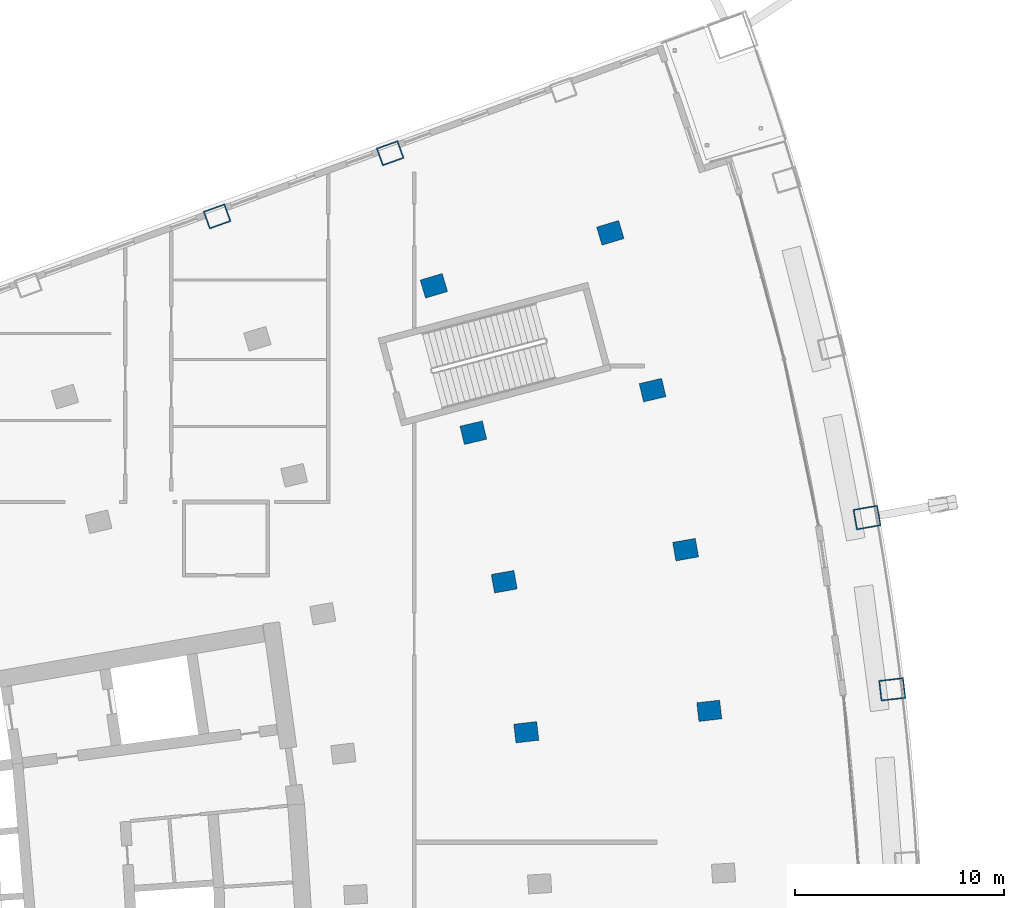
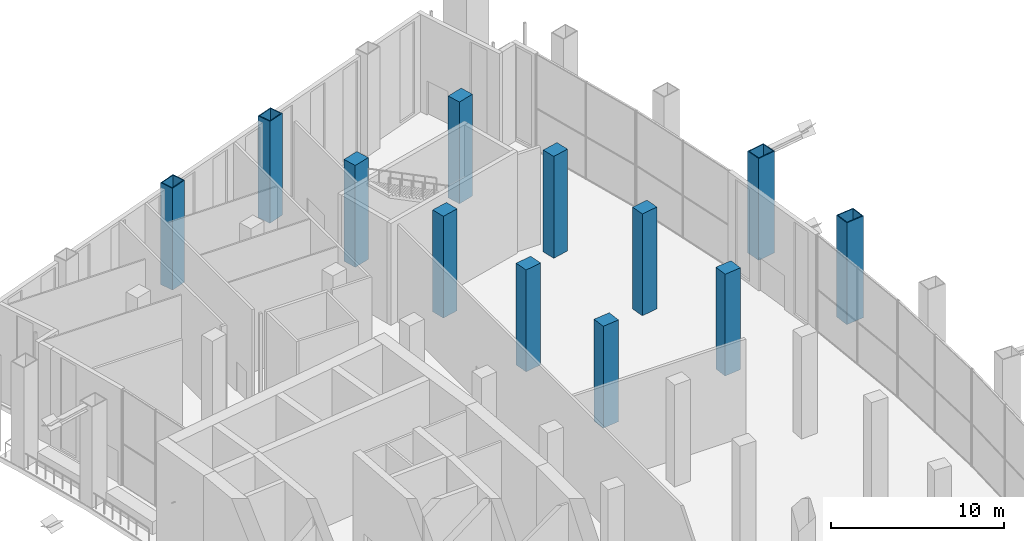
# One storey, part 7 of 27: 12 columns.
"""IFC4 building model written with IfcOpenShell, lengths in metres."""

import ifcopenshell
import ifcopenshell.guid

model = None  # the IFC model being written
_history = None  # IfcOwnerHistory: only IFC2X3 demands one
_inside = {}  # id of a spatial element -> (the spatial element, [elements in it])
_under = {}  # id of a project, library or spatial element -> (it, [spatial elements below it])
_declared = {}  # id of a project -> (the project, [libraries it declares])
_typed = {}  # id of a type object -> (the type object, [elements of that type])
_made_of = {}  # id of a material, layer set ... -> (it, [elements and type objects made of it])


def new_model(schema):
    """Start an empty IFC model of exactly this schema.

    Asked for "IFC4X3", IfcOpenShell would pick the latest addendum, in which some entities
    have other attributes; the version numbers below select the first issue.
    IFC2X3 requires an IfcOwnerHistory on every rooted entity: one is made here for all.
    """
    global model, _history
    if schema == "IFC4X3":
        model = ifcopenshell.file(schema_version=(4, 3, 0, 0))
    else:
        model = ifcopenshell.file(schema=schema)
    _inside.clear()
    _under.clear()
    _declared.clear()
    _typed.clear()
    _made_of.clear()
    _history = None
    if model.schema == "IFC2X3":
        org = make("IfcOrganization", Name="unknown")
        user = make(
            "IfcPersonAndOrganization",
            ThePerson=make("IfcPerson", FamilyName="unknown"),
            TheOrganization=org,
        )
        app = make(
            "IfcApplication",
            ApplicationDeveloper=org,
            Version="unknown",
            ApplicationFullName="unknown",
            ApplicationIdentifier="unknown",
        )
        _history = make(
            "IfcOwnerHistory",
            OwningUser=user,
            OwningApplication=app,
            ChangeAction="ADDED",
            CreationDate=0,
        )
    return model


def make(cls, **values):
    """One entity of the class cls with the attributes given. An attribute that is None is left unset."""
    return model.create_entity(
        cls, **{name: value for name, value in values.items() if value is not None}
    )


def rooted(cls, **values):
    """An entity with a GlobalId (a new one), such as an element, a storey or a relation."""
    return make(cls, GlobalId=ifcopenshell.guid.new(), OwnerHistory=_history, **values)


def si_unit(unit_type, name, prefix=None):
    """IfcSIUnit, for example si_unit("LENGTHUNIT", "METRE", prefix="MILLI")."""
    return make("IfcSIUnit", UnitType=unit_type, Prefix=prefix, Name=name)


def assignment(units):
    """IfcUnitAssignment: the units of a project."""
    return None if units is None else make("IfcUnitAssignment", Units=units)


def point(xyz):
    """IfcCartesianPoint."""
    return None if xyz is None else make("IfcCartesianPoint", Coordinates=xyz)


def direction(xyz):
    """IfcDirection."""
    return None if xyz is None else make("IfcDirection", DirectionRatios=xyz)


def frame(location, z_axis=None, x_axis=None):
    """IfcAxis2Placement3D, a coordinate frame: its origin and axes. An axis left out is left unset."""
    return make(
        "IfcAxis2Placement3D",
        Location=point(location),
        Axis=direction(z_axis),
        RefDirection=direction(x_axis),
    )


def frame_2d(location, x_axis=None):
    """IfcAxis2Placement2D, a coordinate frame in the plane: its origin and x axis."""
    return make(
        "IfcAxis2Placement2D", Location=point(location), RefDirection=direction(x_axis)
    )


def origin():
    """The frame at (0, 0, 0) with its axes left unset."""
    return frame((0.0, 0.0, 0.0))


def origin_2d():
    """The frame at (0, 0) in the plane with its x axis left unset."""
    return frame_2d((0.0, 0.0))


def place(relative_to, where):
    """IfcLocalPlacement: puts the frame where relative to a parent placement (None: the world)."""
    return make(
        "IfcLocalPlacement", PlacementRelTo=relative_to, RelativePlacement=where
    )


def context(
    kind, dimensions, precision=None, world=None, true_north=None, identifier=None
):
    """IfcGeometricRepresentationContext, for example the 3D "Model" context."""
    return make(
        "IfcGeometricRepresentationContext",
        ContextIdentifier=identifier,
        ContextType=kind,
        CoordinateSpaceDimension=dimensions,
        Precision=precision,
        WorldCoordinateSystem=world,
        TrueNorth=true_north,
    )


def subcontext(parent, identifier, kind, view, scale=None):
    """IfcGeometricRepresentationSubContext, for example "Body" below "Model"."""
    return make(
        "IfcGeometricRepresentationSubContext",
        ContextIdentifier=identifier,
        ContextType=kind,
        ParentContext=parent,
        TargetScale=scale,
        TargetView=view,
    )


def project(units=None, contexts=None):
    """IfcProject with its units and contexts."""
    return rooted(
        "IfcProject",
        Name="project",
        RepresentationContexts=contexts,
        UnitsInContext=assignment(units),
    )


def spatial(cls, under=None, at=None, **own):
    """A site, building, storey or space (cls), placed at a placement, below another one or the project."""
    s = rooted(cls, ObjectPlacement=at, **own)
    if under is not None:
        _under.setdefault(under.id(), (under, []))[1].append(s)
    return s


def profile(cls, at=None, kind="AREA", **sizes):
    """A parametric profile (cls). Its sizes go by their IFC names, for example OverallWidth=200.0."""
    return make(cls, ProfileType=kind, Position=at, **sizes)


def rectangle(**sizes):
    """IfcRectangleProfileDef."""
    return profile("IfcRectangleProfileDef", **sizes)


def hollow_rectangle(**sizes):
    """IfcRectangleHollowProfileDef."""
    return profile("IfcRectangleHollowProfileDef", **sizes)


def extrude(swept, where, along, depth):
    """IfcExtrudedAreaSolid: the profile swept, set in the frame where, extruded along a direction by depth."""
    return make(
        "IfcExtrudedAreaSolid",
        SweptArea=swept,
        Position=where,
        ExtrudedDirection=direction(along),
        Depth=depth,
    )


def shape(context_of_items, identifier, shape_type, items):
    """IfcShapeRepresentation: the items that make up one representation, for example the "Body"."""
    return make(
        "IfcShapeRepresentation",
        ContextOfItems=context_of_items,
        RepresentationIdentifier=identifier,
        RepresentationType=shape_type,
        Items=items,
    )


def material(Name=None, Category=None):
    """IfcMaterial."""
    return make("IfcMaterial", Name=Name, Category=Category)


def material_profile(
    of_material, cross_section, Name=None, Category=None, Priority=None
):
    """IfcMaterialProfile: a cross section and its material."""
    return make(
        "IfcMaterialProfile",
        Name=Name,
        Material=of_material,
        Profile=cross_section,
        Priority=Priority,
        Category=Category,
    )


def profile_set(profiles, Name=None, composite=None):
    """IfcMaterialProfileSet."""
    return make(
        "IfcMaterialProfileSet",
        Name=Name,
        MaterialProfiles=profiles,
        CompositeProfile=composite,
    )


def made_of(thing, what):
    """Note that an element or type object is made of a material, layer set ...; save() writes the relation."""
    if what is not None:
        _made_of.setdefault(what.id(), (what, []))[1].append(thing)
    return thing


def type_object(cls, material=None, **own):
    """A type object (cls), such as IfcWallType, which elements share."""
    return made_of(rooted(cls, **own), material)


def element(
    cls,
    number,
    at=None,
    inside=None,
    cuts=None,
    type_object=None,
    material=None,
    context=None,
    identifier="Body",
    shape_type=None,
    held_by="IfcProductDefinitionShape",
    body=None,
    shapes=None,
    **own,
):
    """One element of the class cls, such as IfcWall. Its Tag is "e" and its number.

    at: its placement. inside: the storey or other place that contains it. cuts: it is an
    opening in that element (IfcRelVoidsElement). A single representation is given by context,
    identifier, shape_type and body (its items); several are given by shapes. held_by: the class
    of the entity that holds the representations. save() writes the other relations.
    """
    e = rooted(cls, Tag="e%d" % number, ObjectPlacement=at, **own)
    if body is not None:
        shapes = [shape(context, identifier, shape_type, body)]
    if shapes is not None:
        e.Representation = make(held_by, Representations=shapes)
    if inside is not None:
        _inside.setdefault(inside.id(), (inside, []))[1].append(e)
    if cuts is not None:
        rooted(
            "IfcRelVoidsElement", RelatingBuildingElement=cuts, RelatedOpeningElement=e
        )
    if type_object is not None:
        _typed.setdefault(type_object.id(), (type_object, []))[1].append(e)
    return made_of(e, material)


def aggregate(whole, parts):
    """IfcRelAggregates: a whole, such as a stair, and the parts it consists of."""
    return rooted("IfcRelAggregates", RelatingObject=whole, RelatedObjects=parts)


def save(model, path):
    """Write the relations noted so far, then the file.

    IfcRelAggregates (storeys below a building ...), IfcRelContainedInSpatialStructure (elements
    in a storey), IfcRelDefinesByType, IfcRelAssociatesMaterial and IfcRelDeclares: one each for
    every whole, place, type object, material and project.
    """
    for whole, parts in _under.values():
        aggregate(whole, parts)
    for where, things in _inside.values():
        rooted(
            "IfcRelContainedInSpatialStructure",
            RelatedElements=things,
            RelatingStructure=where,
        )
    for kind, things in _typed.values():
        rooted("IfcRelDefinesByType", RelatedObjects=things, RelatingType=kind)
    for what, things in _made_of.values():
        rooted("IfcRelAssociatesMaterial", RelatedObjects=things, RelatingMaterial=what)
    for by, libraries in _declared.values():
        rooted("IfcRelDeclares", RelatingContext=by, RelatedDefinitions=libraries)
    model.write(path)


model = new_model("IFC4")

# Units and contexts
model_context = context("Model", 3, precision=1e-05, world=origin(), true_north=direction((0.0, 1.0)))
body_context = subcontext(model_context, "Body", "Model", "MODEL_VIEW")
ifc_project = project(units=[si_unit("LENGTHUNIT", "METRE"), si_unit("AREAUNIT", "SQUARE_METRE"), si_unit("VOLUMEUNIT", "CUBIC_METRE"), si_unit("PLANEANGLEUNIT", "RADIAN"), si_unit("MASSUNIT", "GRAM", prefix="KILO")], contexts=[model_context])

# Site, building, storey
site_placement = place(None, origin())
site = spatial("IfcSite", under=ifc_project, at=site_placement, CompositionType="ELEMENT")
building_placement = place(site_placement, origin())
building = spatial("IfcBuilding", under=site, at=building_placement, Name="Alderwake Tower", CompositionType="ELEMENT")
storey_placement = place(building_placement, frame((0.0, 0.0, 75.199951171875)))
storey = spatial("IfcBuildingStorey", under=building, at=storey_placement, Name="L18", CompositionType="ELEMENT", Elevation=75.199951171875)

# Columns
ifc_material_1 = material(Name="Steel ASTM A572 Grade 50 concrete filled C70/85", Category="concrete")
ifc_material_profile_1 = material_profile(ifc_material_1, hollow_rectangle(XDim=0.89990234375, YDim=1.10009765625, WallThickness=0.06005859375, at=origin_2d()), Name="BOX 1100X900X60")
ifc_profile_set_1 = profile_set([ifc_material_profile_1], Name="Steel ASTM A572 Grade 50 concrete filled C70/85")
column_type_1 = type_object("IfcColumnType", Name="End column Z1", PredefinedType="COLUMN", material=ifc_profile_set_1)
for number, where, z_axis, x_axis, name in (
    (1, (28.983642578125, 100.143310546875, 0.0), (0.0, 0.0, 1.0), (-0.338026774049, 0.941136493834, 0.0), "Column R13-C2"),
    (2, (37.250244140625, 103.160888671875, 0.0), (0.0, 0.0, 1.0), (-0.3383700535, 0.941013127907, 0.0), "Column R13-C3"),
):
    element("IfcColumn", number, at=place(storey_placement, frame(where, z_axis=z_axis, x_axis=x_axis)), inside=storey, type_object=column_type_1, Name=name, PredefinedType="COLUMN", context=body_context, shape_type="SweptSolid", body=[
        extrude(hollow_rectangle(XDim=0.89990234375, YDim=1.10009765625, WallThickness=0.06005859375, at=origin_2d()), origin(), (0.0, 0.0, 1.0), 7.199951171875),
    ])
ifc_material_2 = material(Name="Concrete C70/85", Category="concrete")
ifc_material_profile_2 = material_profile(ifc_material_2, rectangle(XDim=0.89990234375, YDim=1.10009765625, at=origin_2d()), Name="RC 1100X900")
ifc_profile_set_2 = profile_set([ifc_material_profile_2], Name="Concrete C70/85")
column_type_2 = type_object("IfcColumnType", Name="Interior column Z1", PredefinedType="COLUMN", material=ifc_profile_set_2)
for number, where, z_axis, x_axis, name in (
    (3, (43.7529296875, 75.503662109375, 0.0), (0.0, 0.0, 1.0), (-0.116402054316, 0.993202175668, 0.0), "Column R09-C3"),
    (4, (52.4931640625, 76.528076171875, 0.0), (0.0, 0.0, 1.0), (-0.116402054316, 0.993202175668, 0.0), "Column R09-C4"),
    (5, (42.697021484375, 82.69384765625, 0.0), (0.0, 0.0, 1.0), (-0.174108800747, 0.984726421654, 0.0), "Column R10-C3"),
    (6, (51.362548828125, 84.22607421875, 0.0), (0.0, 0.0, 1.0), (-0.174108800747, 0.984726421654, 0.0), "Column R10-C4"),
    (7, (41.223388671875, 89.810302734375, 0.0), (0.0, 0.0, 1.0), (-0.231221547198, 0.972901123502, 0.0), "Column R11-C3"),
    (8, (49.784912109375, 91.844970703125, 0.0), (0.0, 0.0, 1.0), (-0.231221547198, 0.972901123502, 0.0), "Column R11-C4"),
    (9, (39.337646484375, 96.82861328125, 0.0), (0.0, 0.0, 1.0), (-0.287549418125, 0.957765802342, 0.0), "Column R12-C3"),
    (10, (47.76611328125, 99.35888671875, 0.0), (0.0, 0.0, 1.0), (-0.287549418125, 0.957765802342, 0.0), "Column R12-C4"),
):
    element("IfcColumn", number, at=place(storey_placement, frame(where, z_axis=z_axis, x_axis=x_axis)), inside=storey, type_object=column_type_2, Name=name, PredefinedType="COLUMN", context=body_context, shape_type="SweptSolid", body=[
        extrude(rectangle(XDim=0.89990234375, YDim=1.10009765625, at=origin_2d()), origin(), (0.0, 0.0, 1.0), 7.199951171875),
    ])
ifc_material_3 = material(Name="Steel ASTM A572 Grade 50 concrete filled C70/85", Category="concrete")
ifc_material_profile_3 = material_profile(ifc_material_3, hollow_rectangle(XDim=1.0, YDim=1.199951171875, WallThickness=0.06005859375, at=origin_2d()), Name="BOX 1200X1000X60")
ifc_profile_set_3 = profile_set([ifc_material_profile_3], Name="Steel ASTM A572 Grade 50 concrete filled C70/85")
column_type_3 = type_object("IfcColumnType", Name="Perimeter column Z1", PredefinedType="COLUMN", material=ifc_profile_set_3)
for number, where, z_axis, x_axis, name in (
    (11, (61.2333984375, 77.552490234375, 0.0), (0.0, 0.0, 1.0), (-0.116402054316, 0.993202175668, 0.0), "Column R09-C5"),
    (12, (60.028076171875, 85.75830078125, 0.0), (0.0, 0.0, 1.0), (-0.174108800747, 0.984726421654, 0.0), "Column R10-C5"),
):
    element("IfcColumn", number, at=place(storey_placement, frame(where, z_axis=z_axis, x_axis=x_axis)), inside=storey, type_object=column_type_3, Name=name, PredefinedType="COLUMN", context=body_context, shape_type="SweptSolid", body=[
        extrude(hollow_rectangle(XDim=1.0, YDim=1.199951171875, WallThickness=0.06005859375, at=origin_2d()), origin(), (0.0, 0.0, 1.0), 7.199951171875),
    ])

save(model, "model.ifc")
